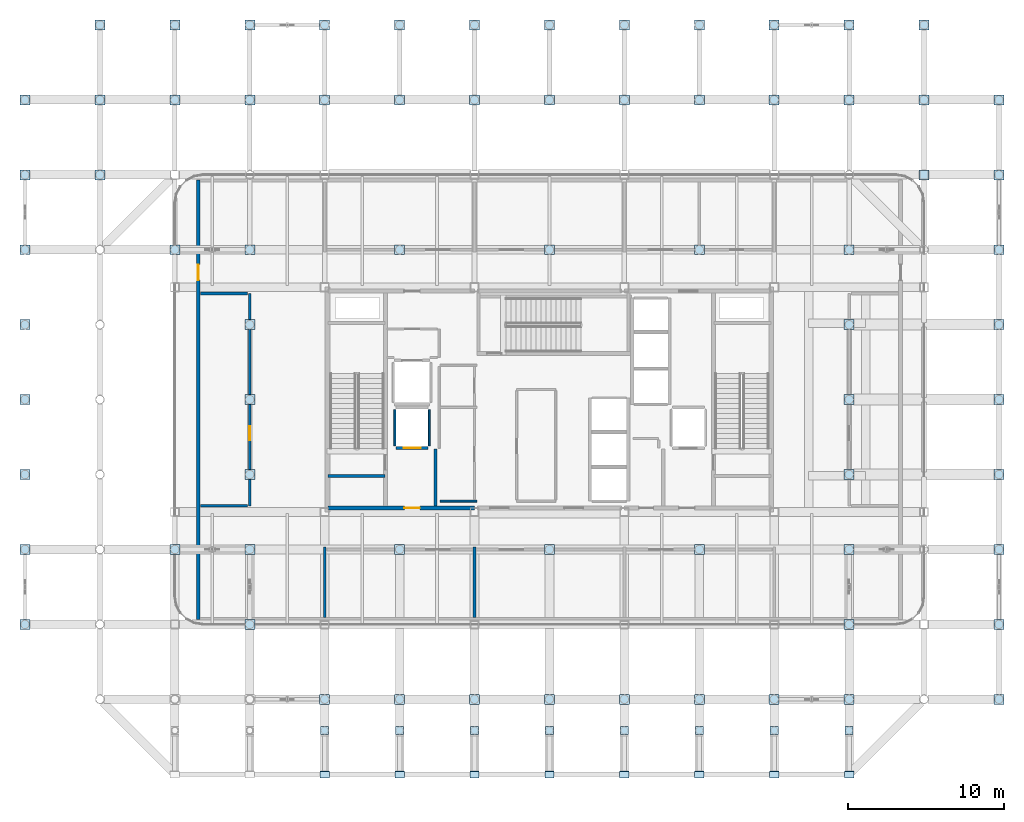
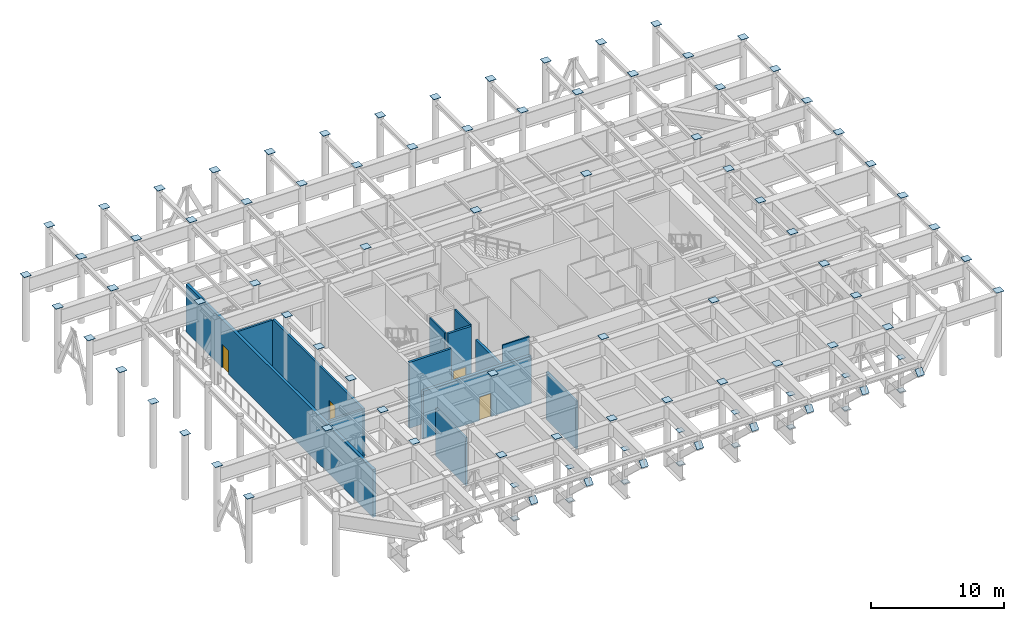
# One storey, part 13 of 20: 95 plates, 13 walls, 4 doors, 4 openings.
"""IFC4 building model written with IfcOpenShell, lengths in metres."""

from ifc_helpers import new_model, si_unit, direction, frame, frame_2d, origin, origin_2d, place, context, subcontext, project, spatial, polyline, rectangle, outline, extrude, material, layer, layer_set, type_object, element, fill, save


model = new_model("IFC4")

# Units and contexts
model_context = context("Model", 3, precision=1e-05, world=origin(), true_north=direction((0.0, 1.0)))
body_context = subcontext(model_context, "Body", "Model", "MODEL_VIEW")
ifc_project = project(units=[si_unit("LENGTHUNIT", "METRE"), si_unit("AREAUNIT", "SQUARE_METRE"), si_unit("VOLUMEUNIT", "CUBIC_METRE"), si_unit("PLANEANGLEUNIT", "RADIAN"), si_unit("MASSUNIT", "GRAM", prefix="KILO")], contexts=[model_context])

# Site, building, storey
site_placement = place(None, origin())
site = spatial("IfcSite", under=ifc_project, at=site_placement, CompositionType="ELEMENT")
building_placement = place(site_placement, origin())
building = spatial("IfcBuilding", under=site, at=building_placement, Name="Kallvorn Hotel Tower", CompositionType="ELEMENT")
storey_placement = place(building_placement, frame((0.0, 0.0, 276.199951171875)))
storey = spatial("IfcBuildingStorey", under=building, at=storey_placement, Name="L69", CompositionType="ELEMENT", Elevation=276.199951171875)

# Plates
ifc_material_1 = material(Name="Structural steel S355JR", Category="steel")
ifc_layer_1 = layer(ifc_material_1, 0.030029296875)
ifc_layer_set_1 = layer_set([ifc_layer_1], Name="PLT_CAP_30")
plate_type = type_object("IfcPlateType", Name="PLT_CAP_30", PredefinedType="SHEET", material=ifc_layer_set_1)
for number, where, z_axis, x_axis, name in (
    (1, (-33.60009765625, -14.39990234375, 6.0), (0.0, 0.0, 1.0), (1.0, 0.0, 0.0), "L69 Hollow Column Top End Cap Plate 0287"),
    (2, (-33.60009765625, -9.60009765625, 6.0), (0.0, 0.0, 1.0), (1.0, 0.0, 0.0), "L69 Hollow Column Top End Cap Plate 0288"),
    (3, (-33.60009765625, -4.800048828125, 6.0), (0.0, 0.0, 1.0), (1.0, 0.0, 0.0), "L69 Hollow Column Top End Cap Plate 0289"),
    (4, (-33.60009765625, 0.0, 6.0), (0.0, 0.0, 1.0), (1.0, 0.0, 0.0), "L69 Hollow Column Top End Cap Plate 0290"),
    (5, (-33.60009765625, 4.800048828125, 6.0), (0.0, 0.0, 1.0), (1.0, 0.0, 0.0), "L69 Hollow Column Top End Cap Plate 0291"),
    (6, (-33.60009765625, 9.60009765625, 6.0), (0.0, 0.0, 1.0), (1.0, 0.0, 0.0), "L69 Hollow Column Top End Cap Plate 0292"),
    (7, (-33.60009765625, 14.39990234375, 6.0), (0.0, 0.0, 1.0), (1.0, 0.0, 0.0), "L69 Hollow Column Top End Cap Plate 0293"),
    (8, (-33.60009765625, 19.199951171875, 6.0), (0.0, 0.0, 1.0), (1.0, 0.0, 0.0), "L69 Hollow Column Top End Cap Plate 0294"),
    (9, (-28.800048828125, 14.39990234375, 6.0), (0.0, 0.0, 1.0), (1.0, 0.0, 0.0), "L69 Hollow Column Top End Cap Plate 0295"),
    (10, (-28.800048828125, 19.199951171875, 6.0), (0.0, 0.0, 1.0), (1.0, 0.0, 0.0), "L69 Hollow Column Top End Cap Plate 0296"),
    (11, (-28.800048828125, 24.0, 6.0), (0.0, 0.0, 1.0), (1.0, 0.0, 0.0), "L69 Hollow Column Top End Cap Plate 0297"),
    (12, (-24.0, -9.60009765625, 6.0), (0.0, 0.0, 1.0), (1.0, 0.0, 0.0), "L69 Hollow Column Top End Cap Plate 0299"),
    (13, (-24.0, 9.60009765625, 6.0), (0.0, 0.0, 1.0), (1.0, 0.0, 0.0), "L69 Hollow Column Top End Cap Plate 0300"),
    (14, (-24.0, 19.199951171875, 6.0), (0.0, 0.0, 1.0), (1.0, 0.0, 0.0), "L69 Hollow Column Top End Cap Plate 0301"),
    (15, (-24.0, 24.0, 6.0), (0.0, 0.0, 1.0), (1.0, 0.0, 0.0), "L69 Hollow Column Top End Cap Plate 0302"),
    (16, (-19.199951171875, -14.39990234375, 6.0), (0.0, 0.0, 1.0), (1.0, 0.0, 0.0), "L69 Hollow Column Top End Cap Plate 0304"),
    (17, (-19.199951171875, -9.60009765625, 6.0), (0.0, 0.0, 1.0), (1.0, 0.0, 0.0), "L69 Hollow Column Top End Cap Plate 0305"),
    (18, (-19.199951171875, -4.800048828125, 6.0), (0.0, 0.0, 1.0), (1.0, 0.0, 0.0), "L69 Hollow Column Top End Cap Plate 0306"),
    (19, (-19.199951171875, 0.0, 6.0), (0.0, 0.0, 1.0), (1.0, 0.0, 0.0), "L69 Hollow Column Top End Cap Plate 0307"),
    (20, (-19.199951171875, 4.800048828125, 6.0), (0.0, 0.0, 1.0), (1.0, 0.0, 0.0), "L69 Hollow Column Top End Cap Plate 0308"),
    (21, (-19.199951171875, 9.60009765625, 6.0), (0.0, 0.0, 1.0), (1.0, 0.0, 0.0), "L69 Hollow Column Top End Cap Plate 0309"),
    (22, (-19.199951171875, 19.199951171875, 6.0), (0.0, 0.0, 1.0), (1.0, 0.0, 0.0), "L69 Hollow Column Top End Cap Plate 0310"),
    (23, (-19.199951171875, 24.0, 6.0), (0.0, 0.0, 1.0), (1.0, 0.0, 0.0), "L69 Hollow Column Top End Cap Plate 0311"),
    (24, (-14.39990234375, -19.199951171875, 6.0), (0.0, 0.0, 1.0), (1.0, 0.0, 0.0), "L69 Hollow Column Top End Cap Plate 0312"),
    (25, (-14.39990234375, 19.199951171875, 6.0), (0.0, 0.0, 1.0), (1.0, 0.0, 0.0), "L69 Hollow Column Top End Cap Plate 0313"),
    (26, (-14.39990234375, 24.0, 6.0), (0.0, 0.0, 1.0), (1.0, 0.0, 0.0), "L69 Hollow Column Top End Cap Plate 0314"),
    (27, (-9.60009765625, -19.199951171875, 6.0), (0.0, 0.0, 1.0), (1.0, 0.0, 0.0), "L69 Hollow Column Top End Cap Plate 0315"),
    (28, (-9.60009765625, -9.60009765625, 6.0), (0.0, 0.0, 1.0), (1.0, 0.0, 0.0), "L69 Hollow Column Top End Cap Plate 0316"),
    (29, (-9.60009765625, 9.60009765625, 6.0), (0.0, 0.0, 1.0), (1.0, 0.0, 0.0), "L69 Hollow Column Top End Cap Plate 0317"),
    (30, (-9.60009765625, 19.199951171875, 6.0), (0.0, 0.0, 1.0), (1.0, 0.0, 0.0), "L69 Hollow Column Top End Cap Plate 0318"),
    (31, (-9.60009765625, 24.0, 6.0), (0.0, 0.0, 1.0), (1.0, 0.0, 0.0), "L69 Hollow Column Top End Cap Plate 0319"),
    (32, (-4.800048828125, -19.199951171875, 6.0), (0.0, 0.0, 1.0), (1.0, 0.0, 0.0), "L69 Hollow Column Top End Cap Plate 0320"),
    (33, (-4.800048828125, 19.199951171875, 6.0), (0.0, 0.0, 1.0), (1.0, 0.0, 0.0), "L69 Hollow Column Top End Cap Plate 0321"),
    (34, (-4.800048828125, 24.0, 6.0), (0.0, 0.0, 1.0), (1.0, 0.0, 0.0), "L69 Hollow Column Top End Cap Plate 0322"),
    (35, (0.0, -19.199951171875, 6.0), (0.0, 0.0, 1.0), (1.0, 0.0, 0.0), "L69 Hollow Column Top End Cap Plate 0323"),
    (36, (0.0, -9.60009765625, 6.0), (0.0, 0.0, 1.0), (1.0, 0.0, 0.0), "L69 Hollow Column Top End Cap Plate 0324"),
    (37, (0.0, 9.60009765625, 6.0), (0.0, 0.0, 1.0), (1.0, 0.0, 0.0), "L69 Hollow Column Top End Cap Plate 0325"),
    (38, (0.0, 19.199951171875, 6.0), (0.0, 0.0, 1.0), (1.0, 0.0, 0.0), "L69 Hollow Column Top End Cap Plate 0326"),
    (39, (0.0, 24.0, 6.0), (0.0, 0.0, 1.0), (1.0, 0.0, 0.0), "L69 Hollow Column Top End Cap Plate 0327"),
    (40, (4.800048828125, -19.199951171875, 6.0), (0.0, 0.0, 1.0), (1.0, 0.0, 0.0), "L69 Hollow Column Top End Cap Plate 0328"),
    (41, (4.800048828125, 19.199951171875, 6.0), (0.0, 0.0, 1.0), (1.0, 0.0, 0.0), "L69 Hollow Column Top End Cap Plate 0329"),
    (42, (4.800048828125, 24.0, 6.0), (0.0, 0.0, 1.0), (1.0, 0.0, 0.0), "L69 Hollow Column Top End Cap Plate 0330"),
    (43, (9.60009765625, -19.199951171875, 6.0), (0.0, 0.0, 1.0), (1.0, 0.0, 0.0), "L69 Hollow Column Top End Cap Plate 0331"),
    (44, (9.60009765625, -9.60009765625, 6.0), (0.0, 0.0, 1.0), (1.0, 0.0, 0.0), "L69 Hollow Column Top End Cap Plate 0332"),
    (45, (9.60009765625, 9.60009765625, 6.0), (0.0, 0.0, 1.0), (1.0, 0.0, 0.0), "L69 Hollow Column Top End Cap Plate 0333"),
    (46, (9.60009765625, 19.199951171875, 6.0), (0.0, 0.0, 1.0), (1.0, 0.0, 0.0), "L69 Hollow Column Top End Cap Plate 0334"),
    (47, (9.60009765625, 24.0, 6.0), (0.0, 0.0, 1.0), (1.0, 0.0, 0.0), "L69 Hollow Column Top End Cap Plate 0335"),
    (48, (14.39990234375, -19.199951171875, 6.0), (0.0, 0.0, 1.0), (1.0, 0.0, 0.0), "L69 Hollow Column Top End Cap Plate 0336"),
    (49, (14.39990234375, 19.199951171875, 6.0), (0.0, 0.0, 1.0), (1.0, 0.0, 0.0), "L69 Hollow Column Top End Cap Plate 0337"),
    (50, (14.39990234375, 24.0, 6.0), (0.0, 0.0, 1.0), (1.0, 0.0, 0.0), "L69 Hollow Column Top End Cap Plate 0338"),
    (51, (19.199951171875, -19.199951171875, 6.0), (0.0, 0.0, 1.0), (1.0, 0.0, 0.0), "L69 Hollow Column Top End Cap Plate 0339"),
    (52, (19.199951171875, -14.39990234375, 6.0), (0.0, 0.0, 1.0), (1.0, 0.0, 0.0), "L69 Hollow Column Top End Cap Plate 0340"),
    (53, (19.199951171875, -9.60009765625, 6.0), (0.0, 0.0, 1.0), (1.0, 0.0, 0.0), "L69 Hollow Column Top End Cap Plate 0341"),
    (54, (19.199951171875, -4.800048828125, 6.0), (0.0, 0.0, 1.0), (1.0, 0.0, 0.0), "L69 Hollow Column Top End Cap Plate 0342"),
    (55, (19.199951171875, 0.0, 6.0), (0.0, 0.0, 1.0), (1.0, 0.0, 0.0), "L69 Hollow Column Top End Cap Plate 0343"),
    (56, (19.199951171875, 4.800048828125, 6.0), (0.0, 0.0, 1.0), (1.0, 0.0, 0.0), "L69 Hollow Column Top End Cap Plate 0344"),
    (57, (19.199951171875, 9.60009765625, 6.0), (0.0, 0.0, 1.0), (1.0, 0.0, 0.0), "L69 Hollow Column Top End Cap Plate 0345"),
    (58, (19.199951171875, 19.199951171875, 6.0), (0.0, 0.0, 1.0), (1.0, 0.0, 0.0), "L69 Hollow Column Top End Cap Plate 0346"),
    (59, (19.199951171875, 24.0, 6.0), (0.0, 0.0, 1.0), (1.0, 0.0, 0.0), "L69 Hollow Column Top End Cap Plate 0347"),
):
    element("IfcPlate", number, at=place(storey_placement, frame(where, z_axis=z_axis, x_axis=x_axis)), inside=storey, type_object=plate_type, Name=name, PredefinedType="SHEET", context=body_context, shape_type="SweptSolid", body=[
        extrude(rectangle(XDim=0.638916015625, YDim=0.638916015625, at=origin_2d()), origin(), (0.0, 0.0, 1.0), 0.030029296875),
    ])
plate_1_placement = place(storey_placement, frame((24.0, 14.39990234375, 6.0), z_axis=(0.0, 0.0, 1.0), x_axis=(1.0, 0.0, 0.0)))
element("IfcPlate", 60, at=plate_1_placement, inside=storey, type_object=plate_type, Name="L69 Hollow Column Top End Cap Plate 0348", PredefinedType="SHEET", context=body_context, shape_type="SweptSolid", body=[
    extrude(rectangle(XDim=0.6298828125, YDim=0.6298828125, at=origin_2d()), origin(), (0.0, 0.0, 1.0), 0.030029296875),
])
for number, where, z_axis, x_axis, name in (
    (61, (24.0, 19.199951171875, 6.0), (0.0, 0.0, 1.0), (1.0, 0.0, 0.0), "L69 Hollow Column Top End Cap Plate 0349"),
    (62, (24.0, 24.0, 6.0), (0.0, 0.0, 1.0), (1.0, 0.0, 0.0), "L69 Hollow Column Top End Cap Plate 0350"),
    (63, (28.800048828125, -19.199951171875, 6.0), (0.0, 0.0, 1.0), (1.0, 0.0, 0.0), "L69 Hollow Column Top End Cap Plate 0351"),
    (64, (28.800048828125, -14.39990234375, 6.0), (0.0, 0.0, 1.0), (1.0, 0.0, 0.0), "L69 Hollow Column Top End Cap Plate 0352"),
    (65, (28.800048828125, -9.60009765625, 6.0), (0.0, 0.0, 1.0), (1.0, 0.0, 0.0), "L69 Hollow Column Top End Cap Plate 0353"),
    (66, (28.800048828125, -4.800048828125, 6.0), (0.0, 0.0, 1.0), (1.0, 0.0, 0.0), "L69 Hollow Column Top End Cap Plate 0354"),
    (67, (28.800048828125, 0.0, 6.0), (0.0, 0.0, 1.0), (1.0, 0.0, 0.0), "L69 Hollow Column Top End Cap Plate 0355"),
    (68, (28.800048828125, 4.800048828125, 6.0), (0.0, 0.0, 1.0), (1.0, 0.0, 0.0), "L69 Hollow Column Top End Cap Plate 0356"),
    (69, (28.800048828125, 9.60009765625, 6.0), (0.0, 0.0, 1.0), (1.0, 0.0, 0.0), "L69 Hollow Column Top End Cap Plate 0357"),
    (70, (28.800048828125, 14.39990234375, 6.0), (0.0, 0.0, 1.0), (1.0, 0.0, 0.0), "L69 Hollow Column Top End Cap Plate 0358"),
    (71, (28.800048828125, 19.199951171875, 6.0), (0.0, 0.0, 1.0), (1.0, 0.0, 0.0), "L69 Hollow Column Top End Cap Plate 0359"),
):
    element("IfcPlate", number, at=place(storey_placement, frame(where, z_axis=z_axis, x_axis=x_axis)), inside=storey, type_object=plate_type, Name=name, PredefinedType="SHEET", context=body_context, shape_type="SweptSolid", body=[
        extrude(rectangle(XDim=0.638916015625, YDim=0.638916015625, at=origin_2d()), origin(), (0.0, 0.0, 1.0), 0.030029296875),
    ])
for number, where, z_axis, x_axis, name in (
    (72, (-14.39990234375, -21.199951171875, 1.3701171875), (0.0, 0.0, 1.0), (1.0, 0.0, 0.0), "L69 Prop Column End Cap Plate 03B"),
    (73, (-14.39990234375, -21.199951171875, 4.419921875), (0.0, 0.0, 1.0), (1.0, 0.0, 0.0), "L69 Prop Column End Cap Plate 03T"),
):
    element("IfcPlate", number, at=place(storey_placement, frame(where, z_axis=z_axis, x_axis=x_axis)), inside=storey, type_object=plate_type, Name=name, PredefinedType="SHEET", context=body_context, shape_type="SweptSolid", body=[
        extrude(rectangle(XDim=0.52001953125, YDim=0.52001953125, at=origin_2d()), origin(), (0.0, 0.0, 1.0), 0.030029296875),
    ])
plate_2_placement = place(storey_placement, frame((-14.699951171875, -24.22705078125, 4.5517578125), z_axis=(0.0, -0.729524515646, 0.683954663023), x_axis=(1.0, 0.0, 0.0)))
element("IfcPlate", 74, at=plate_2_placement, inside=storey, type_object=plate_type, Name="L69 Cantilever Strut Node Cap 03", PredefinedType="SHEET", context=body_context, shape_type="SweptSolid", body=[
    extrude(outline(polyline([(0.0, 0.0), (0.599853515625, 0.0), (0.599853515625, 0.6000403430409261), (0.0, 0.6000403430409261), (0.0, 0.0)])), origin(), (0.0, 0.0, -1.0), 0.030029296875),
])
for number, where, z_axis, x_axis, name in (
    (75, (-9.60009765625, -21.199951171875, 1.3701171875), (0.0, 0.0, 1.0), (1.0, 0.0, 0.0), "L69 Prop Column End Cap Plate 04B"),
    (76, (-9.60009765625, -21.199951171875, 4.419921875), (0.0, 0.0, 1.0), (1.0, 0.0, 0.0), "L69 Prop Column End Cap Plate 04T"),
):
    element("IfcPlate", number, at=place(storey_placement, frame(where, z_axis=z_axis, x_axis=x_axis)), inside=storey, type_object=plate_type, Name=name, PredefinedType="SHEET", context=body_context, shape_type="SweptSolid", body=[
        extrude(rectangle(XDim=0.52001953125, YDim=0.52001953125, at=origin_2d()), origin(), (0.0, 0.0, 1.0), 0.030029296875),
    ])
plate_3_placement = place(storey_placement, frame((-9.89990234375, -24.22705078125, 4.5517578125), z_axis=(0.0, -0.729524515646, 0.683954663023), x_axis=(1.0, 0.0, 0.0)))
element("IfcPlate", 77, at=plate_3_placement, inside=storey, type_object=plate_type, Name="L69 Cantilever Strut Node Cap 04", PredefinedType="SHEET", context=body_context, shape_type="SweptSolid", body=[
    extrude(outline(polyline([(0.0, 0.0), (0.599853515625, 0.0), (0.599853515625, 0.6000403430409261), (0.0, 0.6000403430409261), (0.0, 0.0)])), origin(), (0.0, 0.0, -1.0), 0.030029296875),
])
for number, where, z_axis, x_axis, name in (
    (78, (-4.800048828125, -21.199951171875, 1.3701171875), (0.0, 0.0, 1.0), (1.0, 0.0, 0.0), "L69 Prop Column End Cap Plate 05B"),
    (79, (-4.800048828125, -21.199951171875, 4.419921875), (0.0, 0.0, 1.0), (1.0, 0.0, 0.0), "L69 Prop Column End Cap Plate 05T"),
):
    element("IfcPlate", number, at=place(storey_placement, frame(where, z_axis=z_axis, x_axis=x_axis)), inside=storey, type_object=plate_type, Name=name, PredefinedType="SHEET", context=body_context, shape_type="SweptSolid", body=[
        extrude(rectangle(XDim=0.52001953125, YDim=0.52001953125, at=origin_2d()), origin(), (0.0, 0.0, 1.0), 0.030029296875),
    ])
plate_4_placement = place(storey_placement, frame((-5.10009765625, -24.22705078125, 4.5517578125), z_axis=(0.0, -0.729524515646, 0.683954663023), x_axis=(1.0, 0.0, 0.0)))
element("IfcPlate", 80, at=plate_4_placement, inside=storey, type_object=plate_type, Name="L69 Cantilever Strut Node Cap 05", PredefinedType="SHEET", context=body_context, shape_type="SweptSolid", body=[
    extrude(outline(polyline([(0.0, 0.0), (0.60009765625, 0.0), (0.60009765625, 0.6000403430409262), (0.0, 0.6000403430409262), (0.0, 0.0)])), origin(), (0.0, 0.0, -1.0), 0.030029296875),
])
for number, where, z_axis, x_axis, name in (
    (81, (0.0, -21.199951171875, 1.3701171875), (0.0, 0.0, 1.0), (1.0, 0.0, 0.0), "L69 Prop Column End Cap Plate 06B"),
    (82, (0.0, -21.199951171875, 4.419921875), (0.0, 0.0, 1.0), (1.0, 0.0, 0.0), "L69 Prop Column End Cap Plate 06T"),
):
    element("IfcPlate", number, at=place(storey_placement, frame(where, z_axis=z_axis, x_axis=x_axis)), inside=storey, type_object=plate_type, Name=name, PredefinedType="SHEET", context=body_context, shape_type="SweptSolid", body=[
        extrude(rectangle(XDim=0.52001953125, YDim=0.52001953125, at=origin_2d()), origin(), (0.0, 0.0, 1.0), 0.030029296875),
    ])
plate_5_placement = place(storey_placement, frame((-0.300048828125, -24.22705078125, 4.5517578125), z_axis=(0.0, -0.729524515646, 0.683954663023), x_axis=(1.0, 0.0, 0.0)))
element("IfcPlate", 83, at=plate_5_placement, inside=storey, type_object=plate_type, Name="L69 Cantilever Strut Node Cap 06", PredefinedType="SHEET", context=body_context, shape_type="SweptSolid", body=[
    extrude(outline(polyline([(0.0, 0.0), (0.60009765625, 0.0), (0.60009765625, 0.6000403430409262), (0.0, 0.6000403430409262), (0.0, 0.0)])), origin(), (0.0, 0.0, -1.0), 0.030029296875),
])
for number, where, z_axis, x_axis, name in (
    (84, (4.800048828125, -21.199951171875, 1.3701171875), (0.0, 0.0, 1.0), (1.0, 0.0, 0.0), "L69 Prop Column End Cap Plate 07B"),
    (85, (4.800048828125, -21.199951171875, 4.419921875), (0.0, 0.0, 1.0), (1.0, 0.0, 0.0), "L69 Prop Column End Cap Plate 07T"),
):
    element("IfcPlate", number, at=place(storey_placement, frame(where, z_axis=z_axis, x_axis=x_axis)), inside=storey, type_object=plate_type, Name=name, PredefinedType="SHEET", context=body_context, shape_type="SweptSolid", body=[
        extrude(rectangle(XDim=0.52001953125, YDim=0.52001953125, at=origin_2d()), origin(), (0.0, 0.0, 1.0), 0.030029296875),
    ])
plate_6_placement = place(storey_placement, frame((4.5, -24.22705078125, 4.5517578125), z_axis=(0.0, -0.729524515646, 0.683954663023), x_axis=(1.0, 0.0, 0.0)))
element("IfcPlate", 86, at=plate_6_placement, inside=storey, type_object=plate_type, Name="L69 Cantilever Strut Node Cap 07", PredefinedType="SHEET", context=body_context, shape_type="SweptSolid", body=[
    extrude(outline(polyline([(0.0, 0.0), (0.60009765625, 0.0), (0.60009765625, 0.6000403430409262), (0.0, 0.6000403430409262), (0.0, 0.0)])), origin(), (0.0, 0.0, -1.0), 0.030029296875),
])
for number, where, z_axis, x_axis, name in (
    (87, (9.60009765625, -21.199951171875, 1.3701171875), (0.0, 0.0, 1.0), (1.0, 0.0, 0.0), "L69 Prop Column End Cap Plate 08B"),
    (88, (9.60009765625, -21.199951171875, 4.419921875), (0.0, 0.0, 1.0), (1.0, 0.0, 0.0), "L69 Prop Column End Cap Plate 08T"),
):
    element("IfcPlate", number, at=place(storey_placement, frame(where, z_axis=z_axis, x_axis=x_axis)), inside=storey, type_object=plate_type, Name=name, PredefinedType="SHEET", context=body_context, shape_type="SweptSolid", body=[
        extrude(rectangle(XDim=0.52001953125, YDim=0.52001953125, at=origin_2d()), origin(), (0.0, 0.0, 1.0), 0.030029296875),
    ])
plate_7_placement = place(storey_placement, frame((9.300048828125, -24.22705078125, 4.5517578125), z_axis=(0.0, -0.729524515646, 0.683954663023), x_axis=(1.0, 0.0, 0.0)))
element("IfcPlate", 89, at=plate_7_placement, inside=storey, type_object=plate_type, Name="L69 Cantilever Strut Node Cap 08", PredefinedType="SHEET", context=body_context, shape_type="SweptSolid", body=[
    extrude(outline(polyline([(0.0, 0.0), (0.599853515625, 0.0), (0.599853515625, 0.6000403430409261), (0.0, 0.6000403430409261), (0.0, 0.0)])), origin(), (0.0, 0.0, -1.0), 0.030029296875),
])
for number, where, z_axis, x_axis, name in (
    (90, (14.39990234375, -21.199951171875, 1.3701171875), (0.0, 0.0, 1.0), (1.0, 0.0, 0.0), "L69 Prop Column End Cap Plate 09B"),
    (91, (14.39990234375, -21.199951171875, 4.419921875), (0.0, 0.0, 1.0), (1.0, 0.0, 0.0), "L69 Prop Column End Cap Plate 09T"),
):
    element("IfcPlate", number, at=place(storey_placement, frame(where, z_axis=z_axis, x_axis=x_axis)), inside=storey, type_object=plate_type, Name=name, PredefinedType="SHEET", context=body_context, shape_type="SweptSolid", body=[
        extrude(rectangle(XDim=0.52001953125, YDim=0.52001953125, at=origin_2d()), origin(), (0.0, 0.0, 1.0), 0.030029296875),
    ])
plate_8_placement = place(storey_placement, frame((14.10009765625, -24.22705078125, 4.5517578125), z_axis=(0.0, -0.729524515646, 0.683954663023), x_axis=(1.0, 0.0, 0.0)))
element("IfcPlate", 92, at=plate_8_placement, inside=storey, type_object=plate_type, Name="L69 Cantilever Strut Node Cap 09", PredefinedType="SHEET", context=body_context, shape_type="SweptSolid", body=[
    extrude(outline(polyline([(0.0, 0.0), (0.599853515625, 0.0), (0.599853515625, 0.6000403430409261), (0.0, 0.6000403430409261), (0.0, 0.0)])), origin(), (0.0, 0.0, -1.0), 0.030029296875),
])
for number, where, z_axis, x_axis, name in (
    (93, (19.199951171875, -21.199951171875, 1.3701171875), (0.0, 0.0, 1.0), (1.0, 0.0, 0.0), "L69 Prop Column End Cap Plate 10B"),
    (94, (19.199951171875, -21.199951171875, 4.419921875), (0.0, 0.0, 1.0), (1.0, 0.0, 0.0), "L69 Prop Column End Cap Plate 10T"),
):
    element("IfcPlate", number, at=place(storey_placement, frame(where, z_axis=z_axis, x_axis=x_axis)), inside=storey, type_object=plate_type, Name=name, PredefinedType="SHEET", context=body_context, shape_type="SweptSolid", body=[
        extrude(rectangle(XDim=0.52001953125, YDim=0.52001953125, at=origin_2d()), origin(), (0.0, 0.0, 1.0), 0.030029296875),
    ])
plate_9_placement = place(storey_placement, frame((18.89990234375, -24.22705078125, 4.5517578125), z_axis=(0.0, -0.729524515646, 0.683954663023), x_axis=(1.0, 0.0, 0.0)))
element("IfcPlate", 95, at=plate_9_placement, inside=storey, type_object=plate_type, Name="L69 Cantilever Strut Node Cap 10", PredefinedType="SHEET", context=body_context, shape_type="SweptSolid", body=[
    extrude(outline(polyline([(0.0, 0.0), (0.60009765625, 0.0), (0.60009765625, 0.6000403430409262), (0.0, 0.6000403430409262), (0.0, 0.0)])), origin(), (0.0, 0.0, -1.0), 0.030029296875),
])

# Walls
ifc_material_2 = material(Name="Fire-rated double-layer acoustic gypsum drywall EI 60")
ifc_layer_2 = layer(ifc_material_2, 0.179931640625)
ifc_layer_set_2 = layer_set([ifc_layer_2], Name="WL_CORR_180")
wall_type_1 = type_object("IfcWallType", Name="WL_CORR_180", PredefinedType="PARTITIONING", material=ifc_layer_set_2)
for number, where, z_axis, x_axis, name in (
    (96, (-22.364990234375, -6.800048828125, 0.0), (0.0, 0.0, 1.0), (1.0, 0.0, 0.0), "L69 L69 Pressurised Fire Refuge Area West Partition"),
    (97, (-22.364990234375, 6.800048828125, 0.0), (0.0, 0.0, 1.0), (1.0, 0.0, 0.0), "L69 L69 Pressurised Fire Refuge Area West Partition"),
):
    element("IfcWall", number, at=place(storey_placement, frame(where, z_axis=z_axis, x_axis=x_axis)), inside=storey, type_object=wall_type_1, Name=name, PredefinedType="PARTITIONING", context=body_context, shape_type="SweptSolid", body=[
        extrude(rectangle(XDim=3.014892578125, YDim=0.179931640625, at=frame_2d((1.50732421875, 0.0))), origin(), (0.0, 0.0, 1.0), 4.400146484375),
    ])

# Wall, opening, door
wall_1_placement = place(storey_placement, frame((-19.199951171875, -6.800048828125, 0.0), z_axis=(0.0, 0.0, 1.0), x_axis=(0.0, 1.0, 0.0)))
wall_1 = element("IfcWall", 98, at=wall_1_placement, inside=storey, type_object=wall_type_1, Name="L69 L69 Pressurised Fire Refuge Area West Partition", PredefinedType="PARTITIONING", context=body_context, shape_type="SweptSolid", body=[
    extrude(rectangle(XDim=13.60009765625, YDim=0.179931640625, at=frame_2d((6.800048828125, 0.0))), origin(), (0.0, 0.0, 1.0), 4.400146484375),
])
opening_1_placement = place(wall_1_placement, frame((4.20703125, 0.0, 0.0)))
opening_1 = element("IfcOpeningElement", 99, at=opening_1_placement, cuts=wall_1, Name="Opening SVD1", PredefinedType="OPENING", context=body_context, shape_type="SweptSolid", body=[
    extrude(rectangle(XDim=0.89990234375, YDim=2.10009765625, at=frame_2d((0.449951171875, 1.050048828125))), frame((0.0, 0.104736328125, 0.0), z_axis=(0.0, -1.0, 0.0), x_axis=(1.0, 0.0, 0.0)), (0.0, 0.0, 1.0), 0.2099609375),
])
ifc_material_3 = material(Name="Galvanised painted steel fire-rated door assembly", Category="steel")
door_type_1 = type_object("IfcDoorType", Name="DR_SERV_900x2100", OperationType="NOTDEFINED", PredefinedType="DOOR", material=ifc_material_3)
door_1_placement = place(opening_1_placement, origin())
door_1 = element("IfcDoor", 100, at=door_1_placement, inside=storey, type_object=door_type_1, Name="L69 L69 Pressurised Fire Refuge Area West Door", OperationType="SINGLE_SWING_RIGHT", OverallHeight=2.10009765625, OverallWidth=0.89990234375, PredefinedType="DOOR", context=body_context, shape_type="SweptSolid", body=[
    extrude(rectangle(XDim=0.89990234375, YDim=2.10009765625, at=frame_2d((0.449951171875, 1.050048828125))), frame((0.0, 0.02490234375, 0.0), z_axis=(0.0, -1.0, 0.0), x_axis=(1.0, 0.0, 0.0)), (0.0, 0.0, 1.0), 0.050048828125),
])
fill(opening_1, door_1)

# Walls
for number, where, z_axis, x_axis, name in (
    (101, (-14.39990234375, -13.945068359375, 0.0), (0.0, 0.0, 1.0), (0.0, 1.0, 0.0), "L69 L69 Pressurised Fire Refuge Area South Partition"),
    (102, (-4.800048828125, -13.945068359375, 0.0), (0.0, 0.0, 1.0), (0.0, 1.0, 0.0), "L69 L69 Air Handling and Ventilation Fan Plant Partition"),
):
    element("IfcWall", number, at=place(storey_placement, frame(where, z_axis=z_axis, x_axis=x_axis)), inside=storey, type_object=wall_type_1, Name=name, PredefinedType="PARTITIONING", context=body_context, shape_type="SweptSolid", body=[
        extrude(rectangle(XDim=4.4951171875, YDim=0.179931640625, at=frame_2d((2.24755859375, 0.0))), origin(), (0.0, 0.0, 1.0), 4.400146484375),
    ])

# Wall, opening, door
ifc_material_4 = material(Name="Precast basalt-clad insulated concrete wall C40/50", Category="masonry")
ifc_layer_3 = layer(ifc_material_4, 0.25)
ifc_layer_set_3 = layer_set([ifc_layer_3], Name="WL_EXT_HUB_250")
wall_type_2 = type_object("IfcWallType", Name="WL_EXT_HUB_250", PredefinedType="SOLIDWALL", material=ifc_layer_set_3)
wall_2_placement = place(storey_placement, frame((-22.5, -14.080078125, 0.0), z_axis=(0.0, 0.0, 1.0), x_axis=(0.0, 1.0, 0.0)))
wall_2 = element("IfcWall", 103, at=wall_2_placement, inside=storey, type_object=wall_type_2, Name="L69 Wind-Hub Acoustic Enclosure Wall W", PredefinedType="SOLIDWALL", context=body_context, shape_type="SweptSolid", body=[
    extrude(rectangle(XDim=28.16015625, YDim=0.25, at=frame_2d((14.080078125, 0.0))), origin(), (0.0, 0.0, 1.0), 4.400146484375),
])
opening_2_placement = place(wall_2_placement, frame((21.72998046875, 0.0, 0.0)))
opening_2 = element("IfcOpeningElement", 104, at=opening_2_placement, cuts=wall_2, Name="Opening WDX1", PredefinedType="OPENING", context=body_context, shape_type="SweptSolid", body=[
    extrude(rectangle(XDim=1.0, YDim=2.14990234375, at=frame_2d((0.5, 1.074951171875))), frame((0.0, 0.139892578125, 0.0), z_axis=(0.0, -1.0, 0.0), x_axis=(1.0, 0.0, 0.0)), (0.0, 0.0, 1.0), 0.280029296875),
])
ifc_material_5 = material(Name="Galvanised painted steel S275JR balustrade", Category="steel")
door_type_2 = type_object("IfcDoorType", Name="DR_WIND_EXT_1000x2150", OperationType="NOTDEFINED", PredefinedType="DOOR", material=ifc_material_5)
door_2_placement = place(opening_2_placement, origin())
door_2 = element("IfcDoor", 105, at=door_2_placement, inside=storey, type_object=door_type_2, Name="L69 Turbine Deck Maintenance Access Door W", OperationType="SINGLE_SWING_RIGHT", OverallHeight=2.14990234375, OverallWidth=1.0, PredefinedType="DOOR", context=body_context, shape_type="SweptSolid", body=[
    extrude(rectangle(XDim=1.0, YDim=2.14990234375, at=frame_2d((0.5, 1.074951171875))), frame((0.0, 0.02490234375, 0.0), z_axis=(0.0, -1.0, 0.0), x_axis=(1.0, 0.0, 0.0)), (0.0, 0.0, 1.0), 0.050048828125),
])
fill(opening_2, door_2)

# Walls
ifc_material_6 = material(Name="Concrete C40/50", Category="concrete")
ifc_layer_4 = layer(ifc_material_6, 0.219970703125)
ifc_layer_set_4 = layer_set([ifc_layer_4], Name="WL_FFL_220")
wall_type_3 = type_object("IfcWallType", Name="WL_FFL_220", PredefinedType="SOLIDWALL", material=ifc_layer_set_4)
wall_3_placement = place(storey_placement, frame((-7.300048828125, -6.820068359375, 0.0), z_axis=(0.0, 0.0, 1.0), x_axis=(0.0, 1.0, 0.0)))
element("IfcWall", 106, at=wall_3_placement, inside=storey, type_object=wall_type_3, Name="L69 Firefighting Lobby West Divider Wall", PredefinedType="SOLIDWALL", context=body_context, shape_type="SweptSolid", body=[
    extrude(rectangle(XDim=3.670166015625, YDim=0.219970703125, at=frame_2d((1.8349609375, 0.0))), origin(), (0.0, 0.0, 1.0), 4.400146484375),
])
ifc_material_7 = material(Name="Concrete C40/50", Category="concrete")
ifc_layer_5 = layer(ifc_material_7, 0.199951171875)
ifc_layer_set_5 = layer_set([ifc_layer_5], Name="WL_HOIST_200")
wall_type_4 = type_object("IfcWallType", Name="WL_HOIST_200", PredefinedType="SOLIDWALL", material=ifc_layer_set_5)
wall_4_placement = place(storey_placement, frame((-14.199951171875, -4.89990234375, -0.25), z_axis=(0.0, 0.0, 1.0), x_axis=(1.0, 0.0, 0.0)))
element("IfcWall", 107, at=wall_4_placement, inside=storey, type_object=wall_type_4, Name="L69 Stair ST1 South Wall", PredefinedType="SOLIDWALL", context=body_context, shape_type="SweptSolid", body=[
    extrude(rectangle(XDim=3.64990234375, YDim=0.199951171875, at=frame_2d((1.824951171875, 0.0))), origin(), (0.0, 0.0, 1.0), 6.050048828125),
])

# Wall, opening, door
wall_5_placement = place(storey_placement, frame((-9.820068359375, -3.10009765625, 0.0), z_axis=(0.0, 0.0, 1.0), x_axis=(1.0, 0.0, 0.0)))
wall_5 = element("IfcWall", 108, at=wall_5_placement, inside=storey, type_object=wall_type_4, Name="L69 FL-1 Landing Wall", PredefinedType="SOLIDWALL", context=body_context, shape_type="SweptSolid", body=[
    extrude(rectangle(XDim=2.0400390625, YDim=0.199951171875, at=frame_2d((1.02001953125, 0.0))), origin(), (0.0, 0.0, 1.0), 5.800048828125),
])
opening_3_placement = place(wall_5_placement, frame((0.469970703125, 0.0, 0.0)))
opening_3 = element("IfcOpeningElement", 109, at=opening_3_placement, cuts=wall_5, Name="Opening LD-FL-1", PredefinedType="OPENING", context=body_context, shape_type="SweptSolid", body=[
    extrude(rectangle(XDim=1.10009765625, YDim=2.199951171875, at=frame_2d((0.550048828125, 1.10009765625))), frame((0.0, 0.114990234375, 0.0), z_axis=(0.0, -1.0, 0.0), x_axis=(1.0, 0.0, 0.0)), (0.0, 0.0, 1.0), 0.22998046875),
])
ifc_material_8 = material(Name="Brushed stainless-steel automatic sliding lift landing door", Category="steel")
door_type_3 = type_object("IfcDoorType", Name="LD_PASS_1100x2200", OperationType="SLIDING_TO_LEFT", PredefinedType="DOOR", material=ifc_material_8)
door_3_placement = place(opening_3_placement, origin())
door_3 = element("IfcDoor", 110, at=door_3_placement, inside=storey, type_object=door_type_3, Name="L69 Lift Landing Sliding Door LD-FL-1", OperationType="SLIDING_TO_LEFT", OverallHeight=2.199951171875, OverallWidth=1.10009765625, PredefinedType="DOOR", context=body_context, shape_type="SweptSolid", body=[
    extrude(rectangle(XDim=1.10009765625, YDim=2.199951171875, at=frame_2d((0.550048828125, 1.10009765625))), frame((0.0, 0.02490234375, 0.0), z_axis=(0.0, -1.0, 0.0), x_axis=(1.0, 0.0, 0.0)), (0.0, 0.0, 1.0), 0.050048828125),
])
fill(opening_3, door_3)

# Walls
ifc_material_9 = material(Name="Fire-rated double-layer acoustic gypsum drywall EI 60")
ifc_layer_6 = layer(ifc_material_9, 0.1201171875)
ifc_layer_set_6 = layer_set([ifc_layer_6], Name="WL_INT_120")
wall_type_5 = type_object("IfcWallType", Name="WL_INT_120", PredefinedType="PARTITIONING", material=ifc_layer_set_6)
for number, where, z_axis, x_axis, name in (
    (111, (-9.89990234375, -2.9599609375, 0.0), (0.0, 0.0, 1.0), (0.0, 1.0, 0.0), "L69 FL-1 West Shaft Wall"),
    (112, (-7.699951171875, -2.9599609375, 0.0), (0.0, 0.0, 1.0), (0.0, 1.0, 0.0), "L69 FL-1 East Shaft Wall"),
):
    element("IfcWall", number, at=place(storey_placement, frame(where, z_axis=z_axis, x_axis=x_axis)), inside=storey, type_object=wall_type_5, Name=name, PredefinedType="PARTITIONING", context=body_context, shape_type="SweptSolid", body=[
        extrude(rectangle(XDim=2.320068359375, YDim=0.1201171875, at=frame_2d((1.16015625, 0.0))), origin(), (0.0, 0.0, 1.0), 5.800048828125),
    ])
wall_6_placement = place(storey_placement, frame((-7.0, -6.5, 0.0), z_axis=(0.0, 0.0, 1.0), x_axis=(1.0, 0.0, 0.0)))
element("IfcWall", 113, at=wall_6_placement, inside=storey, type_object=wall_type_5, Name="L69 Recaptured Full-Depth Sommelier Store Partition", PredefinedType="PARTITIONING", context=body_context, shape_type="SweptSolid", body=[
    extrude(rectangle(XDim=2.35009765625, YDim=0.1201171875, at=frame_2d((1.175048828125, 0.0))), origin(), (0.0, 0.0, 1.0), 5.800048828125),
])

# Wall, opening, door
ifc_material_10 = material(Name="Concrete C40/50", Category="concrete")
ifc_layer_7 = layer(ifc_material_10, 0.25)
ifc_layer_set_7 = layer_set([ifc_layer_7], Name="WL_SHAFT_250")
wall_type_6 = type_object("IfcWallType", Name="WL_SHAFT_250", PredefinedType="SOLIDWALL", material=ifc_layer_set_7)
wall_7_placement = place(storey_placement, frame((-14.199951171875, -6.949951171875, 0.0), z_axis=(0.0, 0.0, 1.0), x_axis=(1.0, 0.0, 0.0)))
wall_7 = element("IfcWall", 114, at=wall_7_placement, inside=storey, type_object=wall_type_6, Name="L69 Core South-West Wall", PredefinedType="SOLIDWALL", context=body_context, shape_type="SweptSolid", body=[
    extrude(rectangle(XDim=9.39990234375, YDim=0.25, at=frame_2d((4.699951171875, 0.0))), origin(), (0.0, 0.0, 1.0), 4.400146484375),
])
opening_4_placement = place(wall_7_placement, frame((4.89990234375, 0.0, 0.0)))
opening_4 = element("IfcOpeningElement", 115, at=opening_4_placement, cuts=wall_7, Name="Opening FD1", PredefinedType="OPENING", context=body_context, shape_type="SweptSolid", body=[
    extrude(rectangle(XDim=1.0, YDim=2.14990234375, at=frame_2d((0.5, 1.074951171875))), frame((0.0, 0.139892578125, 0.0), z_axis=(0.0, -1.0, 0.0), x_axis=(1.0, 0.0, 0.0)), (0.0, 0.0, 1.0), 0.280029296875),
])
ifc_material_11 = material(Name="Galvanised painted steel fire-rated door assembly", Category="steel")
door_type_4 = type_object("IfcDoorType", Name="DR_FFL_1000x2150", OperationType="NOTDEFINED", PredefinedType="DOOR", material=ifc_material_11)
door_4_placement = place(opening_4_placement, origin())
door_4 = element("IfcDoor", 116, at=door_4_placement, inside=storey, type_object=door_type_4, Name="L69 Firefighting Lobby West Door", OperationType="SINGLE_SWING_LEFT", OverallHeight=2.14990234375, OverallWidth=1.0, PredefinedType="DOOR", context=body_context, shape_type="SweptSolid", body=[
    extrude(rectangle(XDim=1.0, YDim=2.14990234375, at=frame_2d((0.5, 1.074951171875))), frame((0.0, 0.02490234375, 0.0), z_axis=(0.0, -1.0, 0.0), x_axis=(1.0, 0.0, 0.0)), (0.0, 0.0, 1.0), 0.050048828125),
])
fill(opening_4, door_4)

save(model, "model.ifc")
